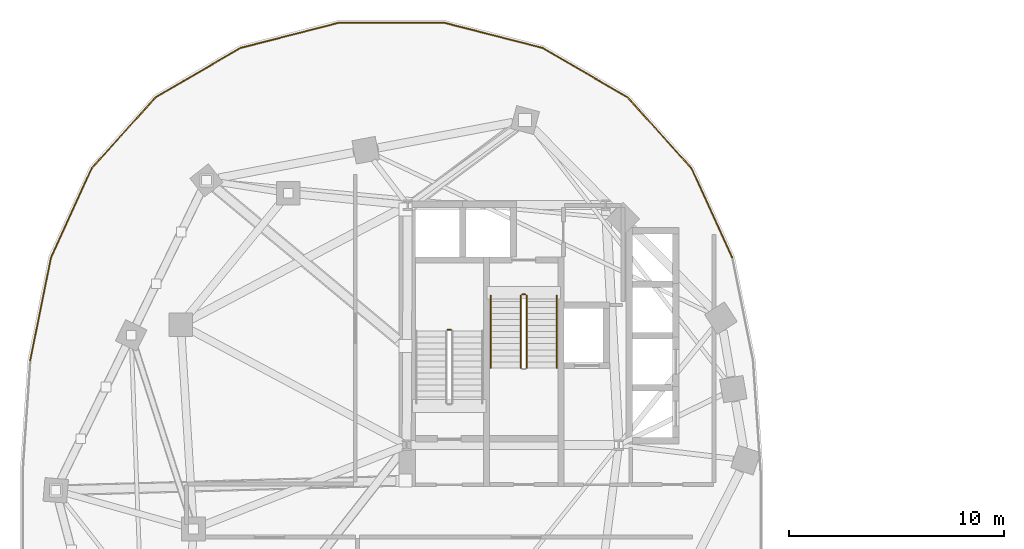
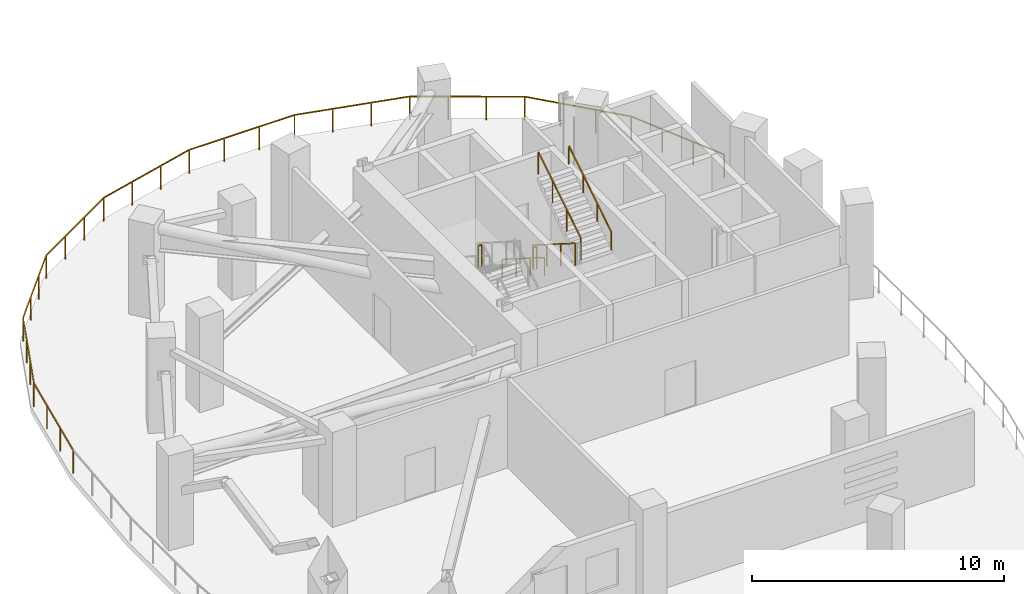
# One storey, part 10 of 13: 11 railings.
"""IFC4 building model written with IfcOpenShell, lengths in metres."""

from ifc_helpers import new_model, si_unit, direction, frame, origin, origin_2d, place, context, subcontext, project, spatial, rectangle, extrude, material, type_object, element, save


model = new_model("IFC4")

# Units and contexts
model_context = context("Model", 3, precision=1e-05, world=origin(), true_north=direction((0.0, 1.0)))
body_context = subcontext(model_context, "Body", "Model", "MODEL_VIEW")
ifc_project = project(units=[si_unit("LENGTHUNIT", "METRE"), si_unit("AREAUNIT", "SQUARE_METRE"), si_unit("VOLUMEUNIT", "CUBIC_METRE"), si_unit("PLANEANGLEUNIT", "RADIAN"), si_unit("MASSUNIT", "GRAM", prefix="KILO"), si_unit("THERMODYNAMICTEMPERATUREUNIT", "KELVIN"), si_unit("POWERUNIT", "WATT")], contexts=[model_context])

# Site, building, storey
site_placement = place(None, origin())
site = spatial("IfcSite", under=ifc_project, at=site_placement, CompositionType="ELEMENT")
building_placement = place(site_placement, origin())
building = spatial("IfcBuilding", under=site, at=building_placement, Name="Cundina Bronze Exchange", CompositionType="ELEMENT")
storey_placement = place(building_placement, frame((0.0, 0.0, 77.199951171875)))
storey = spatial("IfcBuildingStorey", under=building, at=storey_placement, Name="L19", CompositionType="ELEMENT", Elevation=77.199951171875)

# Railings
ifc_material_1 = material(Name="Anodised Bronze Aluminium 6063-T6", Category="aluminium")
railing_type_1 = type_object("IfcRailingType", Name="RLG-GRD-1150", PredefinedType="GUARDRAIL", material=ifc_material_1)
railing_1_placement = place(storey_placement, frame((-48.785888671875, 7.844970703125, 0.0)))
element("IfcRailing", 1, at=railing_1_placement, inside=storey, type_object=railing_type_1, Name="L19 Perimeter Safety Guardrail 09", PredefinedType="GUARDRAIL", context=body_context, shape_type="SweptSolid", body=[
    extrude(rectangle(XDim=0.048095703125, YDim=0.048095703125, at=origin_2d()), frame((0.0, 0.0, 1.1259765625), z_axis=(0.198060616224, 0.980189773616, 0.0), x_axis=(-0.980189773616, 0.198060616224, 0.0)), (0.0, 0.0, 1.0), 4.87646484375),
    extrude(rectangle(XDim=0.048095703125, YDim=0.048095703125, at=origin_2d()), frame((0.9658203125, 4.77978515625, 1.1259765625), z_axis=(0.415419797692, 0.909629810244, 0.0), x_axis=(-0.909629810244, 0.415419797692, 0.0)), (0.0, 0.0, 1.0), 4.548828125),
    extrude(rectangle(XDim=0.0419921875, YDim=0.0419921875, at=origin_2d()), origin(), (0.0, 0.0, 1.0), 1.101806640625),
    extrude(rectangle(XDim=0.0419921875, YDim=0.0419921875, at=origin_2d()), frame((0.322021484375, 1.59326171875, 0.0)), (0.0, 0.0, 1.0), 1.101806640625),
    extrude(rectangle(XDim=0.0419921875, YDim=0.0419921875, at=origin_2d()), frame((0.643798828125, 3.1865234375, 0.0)), (0.0, 0.0, 1.0), 1.101806640625),
    extrude(rectangle(XDim=0.0419921875, YDim=0.0419921875, at=origin_2d()), frame((0.9658203125, 4.77978515625, 0.0)), (0.0, 0.0, 1.0), 1.101806640625),
    extrude(rectangle(XDim=0.0419921875, YDim=0.0419921875, at=origin_2d()), frame((1.595703125, 6.158935546875, 0.0)), (0.0, 0.0, 1.0), 1.101806640625),
    extrude(rectangle(XDim=0.0419921875, YDim=0.0419921875, at=origin_2d()), frame((2.2255859375, 7.538330078125, 0.0)), (0.0, 0.0, 1.0), 1.101806640625),
    extrude(rectangle(XDim=0.0419921875, YDim=0.0419921875, at=origin_2d()), frame((2.85546875, 8.91748046875, 0.0)), (0.0, 0.0, 1.0), 1.101806640625),
])
railing_2_placement = place(storey_placement, frame((-45.930419921875, 16.762451171875, 0.0)))
element("IfcRailing", 2, at=railing_2_placement, inside=storey, type_object=railing_type_1, Name="L19 Perimeter Safety Guardrail 10", PredefinedType="GUARDRAIL", context=body_context, shape_type="SweptSolid", body=[
    extrude(rectangle(XDim=0.048095703125, YDim=0.048095703125, at=origin_2d()), frame((0.0, 0.0, 1.1259765625), z_axis=(0.669381252421, 0.742919066189, 0.0), x_axis=(-0.742919066189, 0.669381252421, 0.0)), (0.0, 0.0, 1.0), 4.435546875),
    extrude(rectangle(XDim=0.048095703125, YDim=0.048095703125, at=origin_2d()), frame((2.968994140625, 3.295166015625, 1.1259765625), z_axis=(0.864468804017, 0.502686469762, 0.0), x_axis=(-0.502686469762, 0.864468804017, 0.0)), (0.0, 0.0, 1.0), 4.56396484375),
    extrude(rectangle(XDim=0.0419921875, YDim=0.0419921875, at=origin_2d()), origin(), (0.0, 0.0, 1.0), 1.101806640625),
    extrude(rectangle(XDim=0.0419921875, YDim=0.0419921875, at=origin_2d()), frame((0.98974609375, 1.098388671875, 0.0)), (0.0, 0.0, 1.0), 1.101806640625),
    extrude(rectangle(XDim=0.0419921875, YDim=0.0419921875, at=origin_2d()), frame((1.979248046875, 2.19677734375, 0.0)), (0.0, 0.0, 1.0), 1.101806640625),
    extrude(rectangle(XDim=0.0419921875, YDim=0.0419921875, at=origin_2d()), frame((2.968994140625, 3.295166015625, 0.0)), (0.0, 0.0, 1.0), 1.101806640625),
    extrude(rectangle(XDim=0.0419921875, YDim=0.0419921875, at=origin_2d()), frame((4.2841796875, 4.059814453125, 0.0)), (0.0, 0.0, 1.0), 1.101806640625),
    extrude(rectangle(XDim=0.0419921875, YDim=0.0419921875, at=origin_2d()), frame((5.59912109375, 4.82470703125, 0.0)), (0.0, 0.0, 1.0), 1.101806640625),
    extrude(rectangle(XDim=0.0419921875, YDim=0.0419921875, at=origin_2d()), frame((6.914306640625, 5.58935546875, 0.0)), (0.0, 0.0, 1.0), 1.101806640625),
])
railing_3_placement = place(storey_placement, frame((-39.01611328125, 22.351806640625, 0.0)))
element("IfcRailing", 3, at=railing_3_placement, inside=storey, type_object=railing_type_1, Name="L19 Perimeter Safety Guardrail 11", PredefinedType="GUARDRAIL", context=body_context, shape_type="SweptSolid", body=[
    extrude(rectangle(XDim=0.048095703125, YDim=0.048095703125, at=origin_2d()), frame((0.0, 0.0, 1.1259765625), z_axis=(0.968744989664, 0.248058753123, 0.0), x_axis=(-0.248058753123, 0.968744989664, 0.0)), (0.0, 0.0, 1.0), 4.749755859375),
    extrude(rectangle(XDim=0.048095703125, YDim=0.048095703125, at=origin_2d()), frame((4.601318359375, 1.17822265625, 1.1259765625), z_axis=(1.0, 0.0, 0.0), x_axis=(0.0, 1.0, 0.0)), (0.0, 0.0, 1.0), 4.82958984375),
    extrude(rectangle(XDim=0.0419921875, YDim=0.0419921875, at=origin_2d()), origin(), (0.0, 0.0, 1.0), 1.101806640625),
    extrude(rectangle(XDim=0.0419921875, YDim=0.0419921875, at=origin_2d()), frame((1.53369140625, 0.392822265625, 0.0)), (0.0, 0.0, 1.0), 1.101806640625),
    extrude(rectangle(XDim=0.0419921875, YDim=0.0419921875, at=origin_2d()), frame((3.067626953125, 0.785400390625, 0.0)), (0.0, 0.0, 1.0), 1.101806640625),
    extrude(rectangle(XDim=0.0419921875, YDim=0.0419921875, at=origin_2d()), frame((4.601318359375, 1.17822265625, 0.0)), (0.0, 0.0, 1.0), 1.101806640625),
    extrude(rectangle(XDim=0.0419921875, YDim=0.0419921875, at=origin_2d()), frame((6.211181640625, 1.17822265625, 0.0)), (0.0, 0.0, 1.0), 1.101806640625),
    extrude(rectangle(XDim=0.0419921875, YDim=0.0419921875, at=origin_2d()), frame((7.821044921875, 1.17822265625, 0.0)), (0.0, 0.0, 1.0), 1.101806640625),
    extrude(rectangle(XDim=0.0419921875, YDim=0.0419921875, at=origin_2d()), frame((9.430908203125, 1.17822265625, 0.0)), (0.0, 0.0, 1.0), 1.101806640625),
])
railing_4_placement = place(storey_placement, frame((-29.585205078125, 23.530029296875, 0.0)))
element("IfcRailing", 4, at=railing_4_placement, inside=storey, type_object=railing_type_1, Name="L19 Perimeter Safety Guardrail 12", PredefinedType="GUARDRAIL", context=body_context, shape_type="SweptSolid", body=[
    extrude(rectangle(XDim=0.048095703125, YDim=0.048095703125, at=origin_2d()), frame((0.0, 0.0, 1.1259765625), z_axis=(0.968744989664, -0.248058753123, 0.0), x_axis=(0.248058753123, 0.968744989664, 0.0)), (0.0, 0.0, 1.0), 4.749755859375),
    extrude(rectangle(XDim=0.048095703125, YDim=0.048095703125, at=origin_2d()), frame((4.601318359375, -1.17822265625, 1.1259765625), z_axis=(0.864468804017, -0.502686469762, 0.0), x_axis=(0.502686469762, 0.864468804017, 0.0)), (0.0, 0.0, 1.0), 4.56396484375),
    extrude(rectangle(XDim=0.0419921875, YDim=0.0419921875, at=origin_2d()), origin(), (0.0, 0.0, 1.0), 1.101806640625),
    extrude(rectangle(XDim=0.0419921875, YDim=0.0419921875, at=origin_2d()), frame((1.53369140625, -0.392822265625, 0.0)), (0.0, 0.0, 1.0), 1.101806640625),
    extrude(rectangle(XDim=0.0419921875, YDim=0.0419921875, at=origin_2d()), frame((3.067626953125, -0.785400390625, 0.0)), (0.0, 0.0, 1.0), 1.101806640625),
    extrude(rectangle(XDim=0.0419921875, YDim=0.0419921875, at=origin_2d()), frame((4.601318359375, -1.17822265625, 0.0)), (0.0, 0.0, 1.0), 1.101806640625),
    extrude(rectangle(XDim=0.0419921875, YDim=0.0419921875, at=origin_2d()), frame((5.91650390625, -1.94287109375, 0.0)), (0.0, 0.0, 1.0), 1.101806640625),
    extrude(rectangle(XDim=0.0419921875, YDim=0.0419921875, at=origin_2d()), frame((7.2314453125, -2.707763671875, 0.0)), (0.0, 0.0, 1.0), 1.101806640625),
    extrude(rectangle(XDim=0.0419921875, YDim=0.0419921875, at=origin_2d()), frame((8.546630859375, -3.472412109375, 0.0)), (0.0, 0.0, 1.0), 1.101806640625),
])
railing_5_placement = place(storey_placement, frame((-21.03857421875, 20.0576171875, 0.0)))
element("IfcRailing", 5, at=railing_5_placement, inside=storey, type_object=railing_type_1, Name="L19 Perimeter Safety Guardrail 13", PredefinedType="GUARDRAIL", context=body_context, shape_type="SweptSolid", body=[
    extrude(rectangle(XDim=0.048095703125, YDim=0.048095703125, at=origin_2d()), frame((0.0, 0.0, 1.1259765625), z_axis=(0.669381252421, -0.742919066189, 0.0), x_axis=(0.742919066189, 0.669381252421, 0.0)), (0.0, 0.0, 1.0), 4.435546875),
    extrude(rectangle(XDim=0.048095703125, YDim=0.048095703125, at=origin_2d()), frame((2.968994140625, -3.295166015625, 1.1259765625), z_axis=(0.415419797692, -0.909629810244, 0.0), x_axis=(0.909629810244, 0.415419797692, 0.0)), (0.0, 0.0, 1.0), 4.548828125),
    extrude(rectangle(XDim=0.0419921875, YDim=0.0419921875, at=origin_2d()), origin(), (0.0, 0.0, 1.0), 1.101806640625),
    extrude(rectangle(XDim=0.0419921875, YDim=0.0419921875, at=origin_2d()), frame((0.98974609375, -1.098388671875, 0.0)), (0.0, 0.0, 1.0), 1.101806640625),
    extrude(rectangle(XDim=0.0419921875, YDim=0.0419921875, at=origin_2d()), frame((1.979248046875, -2.19677734375, 0.0)), (0.0, 0.0, 1.0), 1.101806640625),
    extrude(rectangle(XDim=0.0419921875, YDim=0.0419921875, at=origin_2d()), frame((2.968994140625, -3.295166015625, 0.0)), (0.0, 0.0, 1.0), 1.101806640625),
    extrude(rectangle(XDim=0.0419921875, YDim=0.0419921875, at=origin_2d()), frame((3.598876953125, -4.67431640625, 0.0)), (0.0, 0.0, 1.0), 1.101806640625),
    extrude(rectangle(XDim=0.0419921875, YDim=0.0419921875, at=origin_2d()), frame((4.228759765625, -6.0537109375, 0.0)), (0.0, 0.0, 1.0), 1.101806640625),
    extrude(rectangle(XDim=0.0419921875, YDim=0.0419921875, at=origin_2d()), frame((4.858642578125, -7.432861328125, 0.0)), (0.0, 0.0, 1.0), 1.101806640625),
])
ifc_material_2 = material(Name="Steel ASTM A36 Painted", Category="steel")
railing_type_2 = type_object("IfcRailingType", Name="RLG-HND-900", PredefinedType="HANDRAIL", material=ifc_material_2)
railing_6_placement = place(storey_placement, frame((-27.389892578125, 10.85009765625, 0.177001953125)))
element("IfcRailing", 6, at=railing_6_placement, inside=storey, type_object=railing_type_2, Name="L19 ST-W2 stair handrail 1", PredefinedType="HANDRAIL", context=body_context, shape_type="SweptSolid", body=[
    extrude(rectangle(XDim=0.048095703125, YDim=0.048095703125, at=origin_2d()), frame((0.0, 0.0, 0.8759765625), z_axis=(0.0, -0.845389635667, 0.534150132366), x_axis=(1.0, 0.0, 0.0)), (0.0, 0.0, 1.0), 3.974609375),
    extrude(rectangle(XDim=0.0419921875, YDim=0.0419921875, at=origin_2d()), origin(), (0.0, 0.0, 1.0), 0.851806640625),
    extrude(rectangle(XDim=0.0419921875, YDim=0.0419921875, at=origin_2d()), frame((0.0, -1.1201171875, 0.707763671875)), (0.0, 0.0, 1.0), 0.851806640625),
    extrude(rectangle(XDim=0.0419921875, YDim=0.0419921875, at=origin_2d()), frame((0.0, -2.239990234375, 1.415283203125)), (0.0, 0.0, 1.0), 0.851806640625),
    extrude(rectangle(XDim=0.0419921875, YDim=0.0419921875, at=origin_2d()), frame((0.0, -3.360107421875, 2.123046875)), (0.0, 0.0, 1.0), 0.851806640625),
])
railing_7_placement = place(storey_placement, frame((-24.330078125, 7.489990234375, 2.47705078125)))
element("IfcRailing", 7, at=railing_7_placement, inside=storey, type_object=railing_type_2, Name="L19 ST-W2 stair handrail 2", PredefinedType="HANDRAIL", context=body_context, shape_type="SweptSolid", body=[
    extrude(rectangle(XDim=0.048095703125, YDim=0.048095703125, at=origin_2d()), frame((0.0, 0.0, 0.8759765625), z_axis=(0.0, 0.845389635667, 0.534150132366), x_axis=(-1.0, 0.0, 0.0)), (0.0, 0.0, 1.0), 3.974609375),
    extrude(rectangle(XDim=0.0419921875, YDim=0.0419921875, at=origin_2d()), origin(), (0.0, 0.0, 1.0), 0.851806640625),
    extrude(rectangle(XDim=0.0419921875, YDim=0.0419921875, at=origin_2d()), frame((0.0, 1.1201171875, 0.707763671875)), (0.0, 0.0, 1.0), 0.851806640625),
    extrude(rectangle(XDim=0.0419921875, YDim=0.0419921875, at=origin_2d()), frame((0.0, 2.239990234375, 1.415283203125)), (0.0, 0.0, 1.0), 0.851806640625),
    extrude(rectangle(XDim=0.0419921875, YDim=0.0419921875, at=origin_2d()), frame((0.0, 3.360107421875, 2.123046875)), (0.0, 0.0, 1.0), 0.851806640625),
])
railing_type_3 = type_object("IfcRailingType", Name="RLG-STG-1100", PredefinedType="GUARDRAIL", material=ifc_material_2)
railing_8_placement = place(storey_placement, frame((-29.239990234375, 9.260009765625, 2.300048828125)))
element("IfcRailing", 8, at=railing_8_placement, inside=storey, type_object=railing_type_3, Name="L19 ST-W1 stair guard 2", PredefinedType="GUARDRAIL", context=body_context, shape_type="SweptSolid", body=[
    extrude(rectangle(XDim=0.048095703125, YDim=0.048095703125, at=origin_2d()), frame((0.0, 0.0, 1.076171875), z_axis=(-1.0, 0.0, 0.0), x_axis=(0.0, -1.0, 0.0)), (0.0, 0.0, 1.0), 0.159912109375),
    extrude(rectangle(XDim=0.0419921875, YDim=0.0419921875, at=origin_2d()), origin(), (0.0, 0.0, 1.0), 1.052001953125),
    extrude(rectangle(XDim=0.0419921875, YDim=0.0419921875, at=origin_2d()), frame((-0.159912109375, 0.0, 0.0)), (0.0, 0.0, 1.0), 1.052001953125),
])
railing_9_placement = place(storey_placement, frame((-25.989990234375, 10.85009765625, 0.177001953125)))
element("IfcRailing", 9, at=railing_9_placement, inside=storey, type_object=railing_type_3, Name="L19 ST-W2 stair guard 1", PredefinedType="GUARDRAIL", context=body_context, shape_type="SweptSolid", body=[
    extrude(rectangle(XDim=0.048095703125, YDim=0.048095703125, at=origin_2d()), frame((0.0, 0.0, 1.076171875), z_axis=(0.0, -0.845389635667, 0.534150132366), x_axis=(1.0, 0.0, 0.0)), (0.0, 0.0, 1.0), 3.974609375),
    extrude(rectangle(XDim=0.0419921875, YDim=0.0419921875, at=origin_2d()), origin(), (0.0, 0.0, 1.0), 1.052001953125),
    extrude(rectangle(XDim=0.0419921875, YDim=0.0419921875, at=origin_2d()), frame((0.0, -1.1201171875, 0.707763671875)), (0.0, 0.0, 1.0), 1.052001953125),
    extrude(rectangle(XDim=0.0419921875, YDim=0.0419921875, at=origin_2d()), frame((0.0, -2.239990234375, 1.415283203125)), (0.0, 0.0, 1.0), 1.052001953125),
    extrude(rectangle(XDim=0.0419921875, YDim=0.0419921875, at=origin_2d()), frame((0.0, -3.360107421875, 2.123046875)), (0.0, 0.0, 1.0), 1.052001953125),
])
railing_10_placement = place(storey_placement, frame((-25.72998046875, 7.489990234375, 2.47705078125)))
element("IfcRailing", 10, at=railing_10_placement, inside=storey, type_object=railing_type_3, Name="L19 ST-W2 stair guard 3", PredefinedType="GUARDRAIL", context=body_context, shape_type="SweptSolid", body=[
    extrude(rectangle(XDim=0.048095703125, YDim=0.048095703125, at=origin_2d()), frame((0.0, 0.0, 1.076171875), z_axis=(0.0, 0.845389635667, 0.534150132366), x_axis=(-1.0, 0.0, 0.0)), (0.0, 0.0, 1.0), 3.974609375),
    extrude(rectangle(XDim=0.0419921875, YDim=0.0419921875, at=origin_2d()), origin(), (0.0, 0.0, 1.0), 1.052001953125),
    extrude(rectangle(XDim=0.0419921875, YDim=0.0419921875, at=origin_2d()), frame((0.0, 1.1201171875, 0.707763671875)), (0.0, 0.0, 1.0), 1.052001953125),
    extrude(rectangle(XDim=0.0419921875, YDim=0.0419921875, at=origin_2d()), frame((0.0, 2.239990234375, 1.415283203125)), (0.0, 0.0, 1.0), 1.052001953125),
    extrude(rectangle(XDim=0.0419921875, YDim=0.0419921875, at=origin_2d()), frame((0.0, 3.360107421875, 2.123046875)), (0.0, 0.0, 1.0), 1.052001953125),
])
railing_11_placement = place(storey_placement, frame((-25.93994140625, 10.89990234375, 0.0)))
element("IfcRailing", 11, at=railing_11_placement, inside=storey, type_object=railing_type_3, Name="L19 ST-W2 stair guard 4", PredefinedType="GUARDRAIL", context=body_context, shape_type="SweptSolid", body=[
    extrude(rectangle(XDim=0.048095703125, YDim=0.048095703125, at=origin_2d()), frame((0.0, 0.0, 1.076171875), z_axis=(1.0, 0.0, 0.0), x_axis=(0.0, 1.0, 0.0)), (0.0, 0.0, 1.0), 0.159912109375),
    extrude(rectangle(XDim=0.0419921875, YDim=0.0419921875, at=origin_2d()), origin(), (0.0, 0.0, 1.0), 1.052001953125),
    extrude(rectangle(XDim=0.0419921875, YDim=0.0419921875, at=origin_2d()), frame((0.159912109375, 0.0, 0.0)), (0.0, 0.0, 1.0), 1.052001953125),
])

save(model, "model.ifc")
